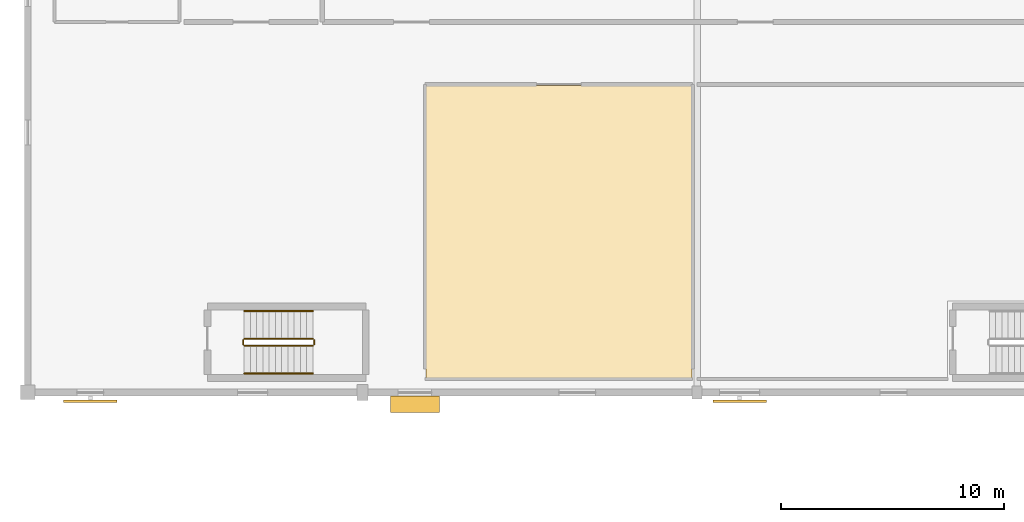
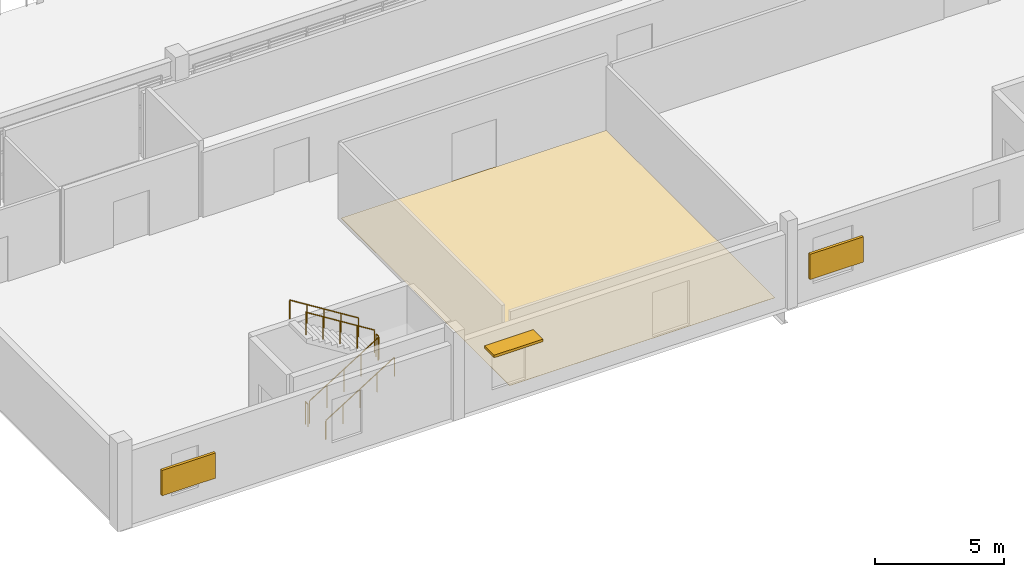
# One storey, part 78 of 92: 6 railings, 3 shading devices, 1 covering.
"""IFC4 building model written with IfcOpenShell, lengths in metres."""

from ifc_helpers import new_model, si_unit, direction, frame, origin, origin_2d, place, context, subcontext, project, spatial, polyline, rectangle, circle, outline, extrude, material, layer, layer_set, type_object, element, save


model = new_model("IFC4")

# Units and contexts
model_context = context("Model", 3, precision=1e-05, world=origin(), true_north=direction((0.0, 1.0)))
body_context = subcontext(model_context, "Body", "Model", "MODEL_VIEW")
ifc_project = project(units=[si_unit("LENGTHUNIT", "METRE"), si_unit("AREAUNIT", "SQUARE_METRE"), si_unit("VOLUMEUNIT", "CUBIC_METRE"), si_unit("PLANEANGLEUNIT", "RADIAN"), si_unit("MASSUNIT", "GRAM", prefix="KILO")], contexts=[model_context])

# Site, building, storey
site_placement = place(None, origin())
site = spatial("IfcSite", under=ifc_project, at=site_placement, CompositionType="ELEMENT")
building_placement = place(site_placement, origin())
building = spatial("IfcBuilding", under=site, at=building_placement, Name="Solanera Park Tramway Depot", CompositionType="ELEMENT")
storey_placement = place(building_placement, frame((0.0, 0.0, 4.800048828125)))
storey = spatial("IfcBuildingStorey", under=building, at=storey_placement, Name="L01", CompositionType="ELEMENT", Elevation=4.800048828125)

# Covering
ifc_material_1 = material(Name="Heavy-duty slip-resistant epoxy resin screed")
ifc_layer_1 = layer(ifc_material_1, 0.011962890625)
ifc_layer_set_1 = layer_set([ifc_layer_1], Name="Heavy-duty slip-resistant epoxy resin screed")
covering_type = type_object("IfcCoveringType", Name="Epoxy Industrial Workshop Flooring 12", PredefinedType="FLOORING", material=ifc_layer_set_1)
covering_placement = place(storey_placement, origin())
element("IfcCovering", 1, at=covering_placement, inside=storey, type_object=covering_type, Name="Pantograph and Traction Electronics Lab Floor Finish", PredefinedType="FLOORING", context=body_context, shape_type="SweptSolid", body=[
    extrude(outline(polyline([(29.760009765625, 11.43994140625), (17.840087890625, 11.43994140625), (17.840087890625, 24.56005859375), (29.760009765625, 24.56005859375), (29.760009765625, 11.43994140625)])), origin(), (0.0, 0.0, 1.0), 0.011962890625),
])

# Railings
ifc_material_2 = material(Name="Brushed stainless steel 316 handrail", Category="steel")
ifc_layer_2 = layer(ifc_material_2, 0.050048828125)
ifc_layer_set_2 = layer_set([ifc_layer_2], Name="Brushed stainless steel 316 handrail")
railing_type_1 = type_object("IfcRailingType", Name="Stair Pitch Tubular Handrail 920", PredefinedType="HANDRAIL", material=ifc_layer_set_2)
railing_1_placement = place(storey_placement, frame((9.699951171875, 11.64990234375, 0.175048828125)))
element("IfcRailing", 2, at=railing_1_placement, inside=storey, type_object=railing_type_1, Name="ST-08 L01 Pitch Handrail 1", PredefinedType="HANDRAIL", context=body_context, shape_type="SweptSolid", body=[
    extrude(circle(Radius=0.02392578125, at=origin_2d()), frame((0.0, 0.0, 0.89599609375), z_axis=(0.848028513186, 0.0, 0.529950602248), x_axis=(0.0, 1.0, 0.0)), (0.0, 0.0, 1.0), 3.632080078125),
    extrude(circle(Radius=0.02099609375, at=origin_2d()), origin(), (0.0, 0.0, 1.0), 0.871826171875),
    extrude(circle(Radius=0.02099609375, at=origin_2d()), frame((0.77001953125, 0.0, 0.481201171875)), (0.0, 0.0, 1.0), 0.871826171875),
    extrude(circle(Radius=0.02099609375, at=origin_2d()), frame((1.5400390625, 0.0, 0.96240234375)), (0.0, 0.0, 1.0), 0.871826171875),
    extrude(circle(Radius=0.02099609375, at=origin_2d()), frame((2.31005859375, 0.0, 1.443603515625)), (0.0, 0.0, 1.0), 0.871826171875),
    extrude(circle(Radius=0.02099609375, at=origin_2d()), frame((3.080078125, 0.0, 1.9248046875)), (0.0, 0.0, 1.0), 0.871826171875),
])
railing_2_placement = place(storey_placement, frame((12.780029296875, 14.449951171875, 2.27490234375)))
element("IfcRailing", 3, at=railing_2_placement, inside=storey, type_object=railing_type_1, Name="ST-08 L01 Pitch Handrail 2", PredefinedType="HANDRAIL", context=body_context, shape_type="SweptSolid", body=[
    extrude(circle(Radius=0.02392578125, at=origin_2d()), frame((0.0, 0.0, 0.89599609375), z_axis=(-0.847998304005, 0.0, 0.529998940003), x_axis=(0.0, -1.0, 0.0)), (0.0, 0.0, 1.0), 3.632080078125),
    extrude(circle(Radius=0.02099609375, at=origin_2d()), origin(), (0.0, 0.0, 1.0), 0.871826171875),
    extrude(circle(Radius=0.02099609375, at=origin_2d()), frame((-0.77001953125, 0.0, 0.481201171875)), (0.0, 0.0, 1.0), 0.871826171875),
    extrude(circle(Radius=0.02099609375, at=origin_2d()), frame((-1.5400390625, 0.0, 0.96240234375)), (0.0, 0.0, 1.0), 0.871826171875),
    extrude(circle(Radius=0.02099609375, at=origin_2d()), frame((-2.31005859375, 0.0, 1.44384765625)), (0.0, 0.0, 1.0), 0.871826171875),
    extrude(circle(Radius=0.02099609375, at=origin_2d()), frame((-3.080078125, 0.0, 1.925048828125)), (0.0, 0.0, 1.0), 0.871826171875),
])
ifc_material_3 = material(Name="Steel AS/NZS 1163 Grade C350L0", Category="steel")
ifc_layer_3 = layer(ifc_material_3, 0.06005859375)
ifc_layer_set_3 = layer_set([ifc_layer_3], Name="Steel AS/NZS 1163 Grade C350L0")
railing_type_2 = type_object("IfcRailingType", Name="Stairwell Guardrail 1100", PredefinedType="GUARDRAIL", material=ifc_layer_set_3)
railing_3_placement = place(storey_placement, frame((9.699951171875, 12.89990234375, 0.175048828125)))
element("IfcRailing", 4, at=railing_3_placement, inside=storey, type_object=railing_type_2, Name="ST-08 L01 Well Guard 1", PredefinedType="GUARDRAIL", context=body_context, shape_type="SweptSolid", body=[
    extrude(circle(Radius=0.02392578125, at=origin_2d()), frame((0.0, 0.0, 1.076171875), z_axis=(0.848028513186, 0.0, 0.529950602248), x_axis=(0.0, 1.0, 0.0)), (0.0, 0.0, 1.0), 3.632080078125),
    extrude(circle(Radius=0.02099609375, at=origin_2d()), origin(), (0.0, 0.0, 1.0), 1.052001953125),
    extrude(circle(Radius=0.02099609375, at=origin_2d()), frame((0.77001953125, 0.0, 0.481201171875)), (0.0, 0.0, 1.0), 1.052001953125),
    extrude(circle(Radius=0.02099609375, at=origin_2d()), frame((1.5400390625, 0.0, 0.96240234375)), (0.0, 0.0, 1.0), 1.052001953125),
    extrude(circle(Radius=0.02099609375, at=origin_2d()), frame((2.31005859375, 0.0, 1.443603515625)), (0.0, 0.0, 1.0), 1.052001953125),
    extrude(circle(Radius=0.02099609375, at=origin_2d()), frame((3.080078125, 0.0, 1.9248046875)), (0.0, 0.0, 1.0), 1.052001953125),
])
railing_4_placement = place(storey_placement, frame((12.830078125, 12.949951171875, 2.099853515625)))
element("IfcRailing", 5, at=railing_4_placement, inside=storey, type_object=railing_type_2, Name="ST-08 L01 Well Guard 2", PredefinedType="GUARDRAIL", context=body_context, shape_type="SweptSolid", body=[
    extrude(circle(Radius=0.02392578125, at=origin_2d()), frame((0.0, 0.0, 1.076171875), z_axis=(0.0, 1.0, 0.0), x_axis=(-1.0, 0.0, 0.0)), (0.0, 0.0, 1.0), 0.199951171875),
    extrude(circle(Radius=0.02099609375, at=origin_2d()), origin(), (0.0, 0.0, 1.0), 1.052001953125),
    extrude(circle(Radius=0.02099609375, at=origin_2d()), frame((0.0, 0.199951171875, 0.0)), (0.0, 0.0, 1.0), 1.052001953125),
])
railing_5_placement = place(storey_placement, frame((12.780029296875, 13.199951171875, 2.27490234375)))
element("IfcRailing", 6, at=railing_5_placement, inside=storey, type_object=railing_type_2, Name="ST-08 L01 Well Guard 3", PredefinedType="GUARDRAIL", context=body_context, shape_type="SweptSolid", body=[
    extrude(circle(Radius=0.02392578125, at=origin_2d()), frame((0.0, 0.0, 1.076171875), z_axis=(-0.847998304005, 0.0, 0.529998940003), x_axis=(0.0, -1.0, 0.0)), (0.0, 0.0, 1.0), 3.632080078125),
    extrude(circle(Radius=0.02099609375, at=origin_2d()), origin(), (0.0, 0.0, 1.0), 1.052001953125),
    extrude(circle(Radius=0.02099609375, at=origin_2d()), frame((-0.77001953125, 0.0, 0.481201171875)), (0.0, 0.0, 1.0), 1.052001953125),
    extrude(circle(Radius=0.02099609375, at=origin_2d()), frame((-1.5400390625, 0.0, 0.96240234375)), (0.0, 0.0, 1.0), 1.052001953125),
    extrude(circle(Radius=0.02099609375, at=origin_2d()), frame((-2.31005859375, 0.0, 1.44384765625)), (0.0, 0.0, 1.0), 1.052001953125),
    extrude(circle(Radius=0.02099609375, at=origin_2d()), frame((-3.080078125, 0.0, 1.925048828125)), (0.0, 0.0, 1.0), 1.052001953125),
])
railing_6_placement = place(storey_placement, frame((9.64990234375, 12.949951171875, 0.0)))
element("IfcRailing", 7, at=railing_6_placement, inside=storey, type_object=railing_type_2, Name="ST-08 L01 Well Guard 4", PredefinedType="GUARDRAIL", context=body_context, shape_type="SweptSolid", body=[
    extrude(circle(Radius=0.02392578125, at=origin_2d()), frame((0.0, 0.0, 1.076171875), z_axis=(0.0, 1.0, 0.0), x_axis=(-1.0, 0.0, 0.0)), (0.0, 0.0, 1.0), 0.199951171875),
    extrude(circle(Radius=0.02099609375, at=origin_2d()), origin(), (0.0, 0.0, 1.0), 1.052001953125),
    extrude(circle(Radius=0.02099609375, at=origin_2d()), frame((0.0, 0.199951171875, 0.0)), (0.0, 0.0, 1.0), 1.052001953125),
])

# Shading devices
ifc_material_4 = material(Name="Extruded terracotta brise-soleil hood", Category="masonry")
shading_device_type_1 = type_object("IfcShadingDeviceType", Name="Terracotta Brise-Soleil Sunshade Hood 2200x750", PredefinedType="USERDEFINED", material=ifc_material_4)
shading_device_placement = place(storey_placement, frame((17.35009765625, 10.27490234375, 2.81982421875), z_axis=(0.0, 0.0, 1.0), x_axis=(1.0, 0.0, 0.0)))
element("IfcShadingDevice", 8, at=shading_device_placement, inside=storey, type_object=shading_device_type_1, Name="Terracotta Brise-Soleil Sunshade #005", ObjectType="SUNSHADE", PredefinedType="USERDEFINED", context=body_context, shape_type="SweptSolid", body=[
    extrude(rectangle(XDim=2.199951171875, YDim=0.75, at=origin_2d()), origin(), (0.0, 0.0, 1.0), 0.1201171875),
])
ifc_material_5 = material(Name="Powder-coated aluminium aerofoil louvre", Category="aluminium")
shading_device_type_2 = type_object("IfcShadingDeviceType", Name="Timber-Look Aluminium Jalousie Louvre 2400x1200", PredefinedType="JALOUSIE", material=ifc_material_5)
for number, where, z_axis, x_axis, name in (
    (9, (2.800048828125, 10.409912109375, 1.1201171875), (0.0, 0.0, 1.0), (1.0, 0.0, 0.0), "Jalousie Louvre Screen #004"),
    (10, (31.89990234375, 10.409912109375, 1.19482421875), (0.0, 0.0, 1.0), (1.0, 0.0, 0.0), "Jalousie Louvre Screen #006"),
):
    element("IfcShadingDevice", number, at=place(storey_placement, frame(where, z_axis=z_axis, x_axis=x_axis)), inside=storey, type_object=shading_device_type_2, Name=name, PredefinedType="JALOUSIE", context=body_context, shape_type="SweptSolid", body=[
        extrude(rectangle(XDim=2.39990234375, YDim=0.1201171875, at=origin_2d()), origin(), (0.0, 0.0, 1.0), 1.199951171875),
    ])

save(model, "model.ifc")
